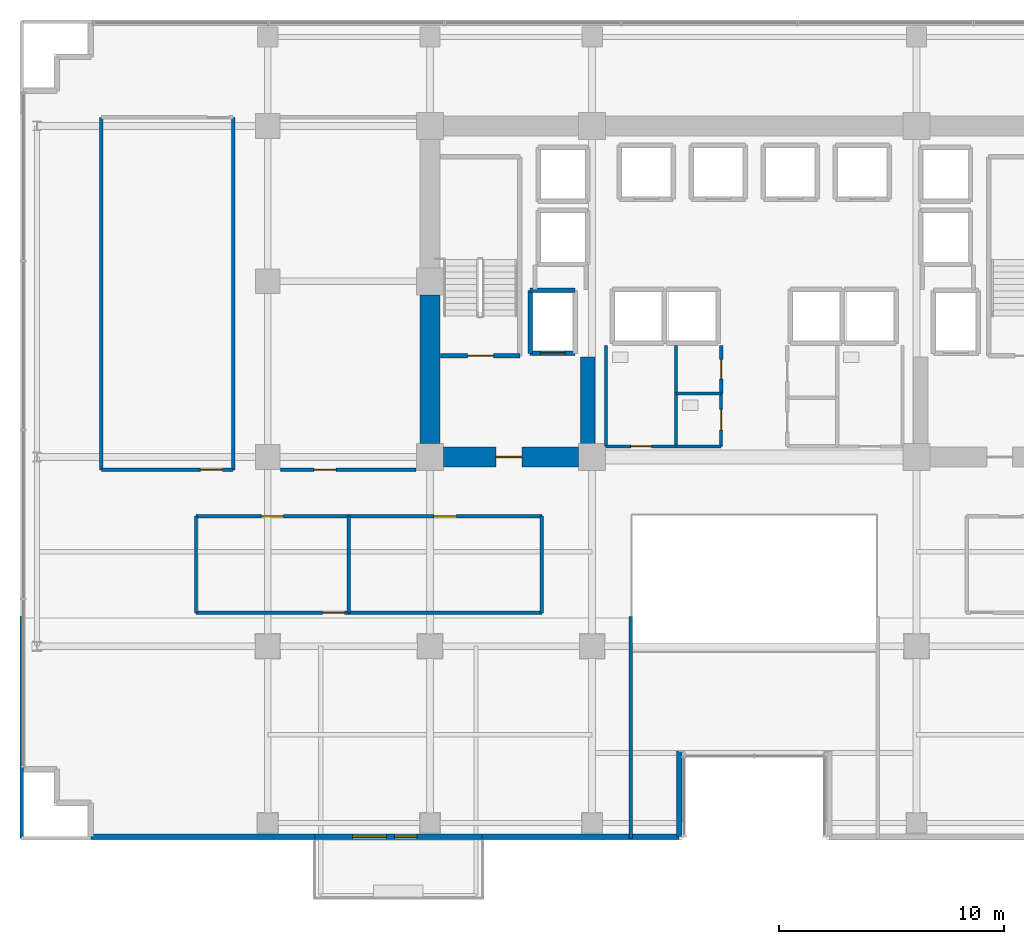
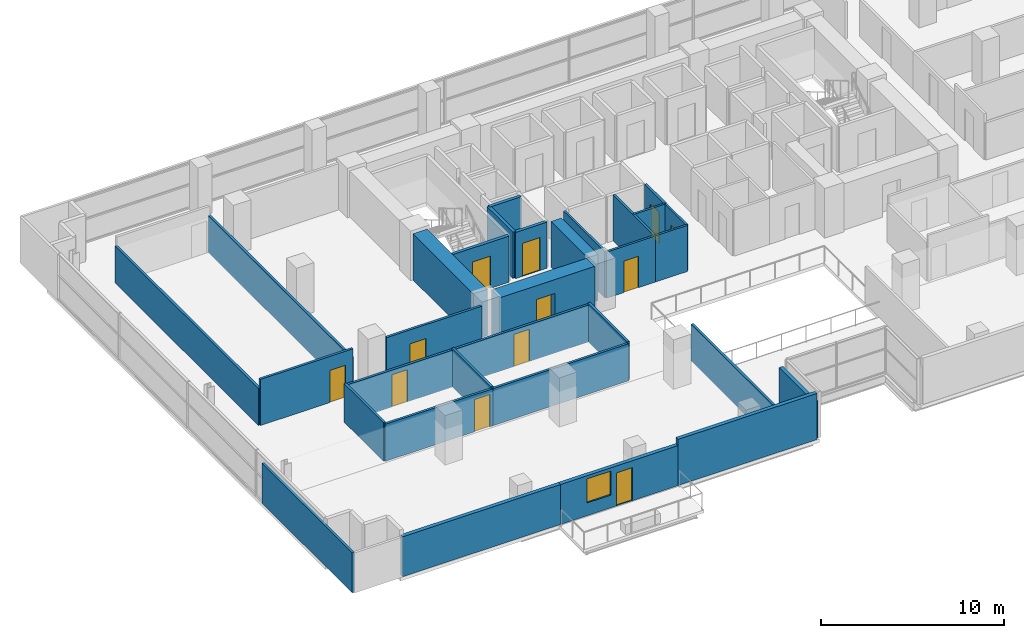
# One storey, part 22 of 30: 31 walls, 12 doors, 1 window, 13 openings.
"""IFC4 building model written with IfcOpenShell, lengths in metres."""

import ifcopenshell
import ifcopenshell.guid

model = None  # the IFC model being written
_history = None  # IfcOwnerHistory: only IFC2X3 demands one
_inside = {}  # id of a spatial element -> (the spatial element, [elements in it])
_under = {}  # id of a project, library or spatial element -> (it, [spatial elements below it])
_declared = {}  # id of a project -> (the project, [libraries it declares])
_typed = {}  # id of a type object -> (the type object, [elements of that type])
_made_of = {}  # id of a material, layer set ... -> (it, [elements and type objects made of it])


def new_model(schema):
    """Start an empty IFC model of exactly this schema.

    Asked for "IFC4X3", IfcOpenShell would pick the latest addendum, in which some entities
    have other attributes; the version numbers below select the first issue.
    IFC2X3 requires an IfcOwnerHistory on every rooted entity: one is made here for all.
    """
    global model, _history
    if schema == "IFC4X3":
        model = ifcopenshell.file(schema_version=(4, 3, 0, 0))
    else:
        model = ifcopenshell.file(schema=schema)
    _inside.clear()
    _under.clear()
    _declared.clear()
    _typed.clear()
    _made_of.clear()
    _history = None
    if model.schema == "IFC2X3":
        org = make("IfcOrganization", Name="unknown")
        user = make(
            "IfcPersonAndOrganization",
            ThePerson=make("IfcPerson", FamilyName="unknown"),
            TheOrganization=org,
        )
        app = make(
            "IfcApplication",
            ApplicationDeveloper=org,
            Version="unknown",
            ApplicationFullName="unknown",
            ApplicationIdentifier="unknown",
        )
        _history = make(
            "IfcOwnerHistory",
            OwningUser=user,
            OwningApplication=app,
            ChangeAction="ADDED",
            CreationDate=0,
        )
    return model


def make(cls, **values):
    """One entity of the class cls with the attributes given. An attribute that is None is left unset."""
    return model.create_entity(
        cls, **{name: value for name, value in values.items() if value is not None}
    )


def rooted(cls, **values):
    """An entity with a GlobalId (a new one), such as an element, a storey or a relation."""
    return make(cls, GlobalId=ifcopenshell.guid.new(), OwnerHistory=_history, **values)


def si_unit(unit_type, name, prefix=None):
    """IfcSIUnit, for example si_unit("LENGTHUNIT", "METRE", prefix="MILLI")."""
    return make("IfcSIUnit", UnitType=unit_type, Prefix=prefix, Name=name)


def assignment(units):
    """IfcUnitAssignment: the units of a project."""
    return None if units is None else make("IfcUnitAssignment", Units=units)


def point(xyz):
    """IfcCartesianPoint."""
    return None if xyz is None else make("IfcCartesianPoint", Coordinates=xyz)


def direction(xyz):
    """IfcDirection."""
    return None if xyz is None else make("IfcDirection", DirectionRatios=xyz)


def frame(location, z_axis=None, x_axis=None):
    """IfcAxis2Placement3D, a coordinate frame: its origin and axes. An axis left out is left unset."""
    return make(
        "IfcAxis2Placement3D",
        Location=point(location),
        Axis=direction(z_axis),
        RefDirection=direction(x_axis),
    )


def frame_2d(location, x_axis=None):
    """IfcAxis2Placement2D, a coordinate frame in the plane: its origin and x axis."""
    return make(
        "IfcAxis2Placement2D", Location=point(location), RefDirection=direction(x_axis)
    )


def origin():
    """The frame at (0, 0, 0) with its axes left unset."""
    return frame((0.0, 0.0, 0.0))


def place(relative_to, where):
    """IfcLocalPlacement: puts the frame where relative to a parent placement (None: the world)."""
    return make(
        "IfcLocalPlacement", PlacementRelTo=relative_to, RelativePlacement=where
    )


def context(
    kind, dimensions, precision=None, world=None, true_north=None, identifier=None
):
    """IfcGeometricRepresentationContext, for example the 3D "Model" context."""
    return make(
        "IfcGeometricRepresentationContext",
        ContextIdentifier=identifier,
        ContextType=kind,
        CoordinateSpaceDimension=dimensions,
        Precision=precision,
        WorldCoordinateSystem=world,
        TrueNorth=true_north,
    )


def subcontext(parent, identifier, kind, view, scale=None):
    """IfcGeometricRepresentationSubContext, for example "Body" below "Model"."""
    return make(
        "IfcGeometricRepresentationSubContext",
        ContextIdentifier=identifier,
        ContextType=kind,
        ParentContext=parent,
        TargetScale=scale,
        TargetView=view,
    )


def project(units=None, contexts=None):
    """IfcProject with its units and contexts."""
    return rooted(
        "IfcProject",
        Name="project",
        RepresentationContexts=contexts,
        UnitsInContext=assignment(units),
    )


def spatial(cls, under=None, at=None, **own):
    """A site, building, storey or space (cls), placed at a placement, below another one or the project."""
    s = rooted(cls, ObjectPlacement=at, **own)
    if under is not None:
        _under.setdefault(under.id(), (under, []))[1].append(s)
    return s


def profile(cls, at=None, kind="AREA", **sizes):
    """A parametric profile (cls). Its sizes go by their IFC names, for example OverallWidth=200.0."""
    return make(cls, ProfileType=kind, Position=at, **sizes)


def rectangle(**sizes):
    """IfcRectangleProfileDef."""
    return profile("IfcRectangleProfileDef", **sizes)


def extrude(swept, where, along, depth):
    """IfcExtrudedAreaSolid: the profile swept, set in the frame where, extruded along a direction by depth."""
    return make(
        "IfcExtrudedAreaSolid",
        SweptArea=swept,
        Position=where,
        ExtrudedDirection=direction(along),
        Depth=depth,
    )


def shape(context_of_items, identifier, shape_type, items):
    """IfcShapeRepresentation: the items that make up one representation, for example the "Body"."""
    return make(
        "IfcShapeRepresentation",
        ContextOfItems=context_of_items,
        RepresentationIdentifier=identifier,
        RepresentationType=shape_type,
        Items=items,
    )


def source(mapping_origin, context_of_items, identifier, shape_type, items):
    """IfcRepresentationMap: a shape defined once, which mapped items show again and again."""
    return make(
        "IfcRepresentationMap",
        MappingOrigin=mapping_origin,
        MappedRepresentation=shape(context_of_items, identifier, shape_type, items),
    )


def transform(
    local_origin,
    x_axis=None,
    y_axis=None,
    z_axis=None,
    scale=None,
    scale2=None,
    scale3=None,
    uniform=True,
):
    """IfcCartesianTransformationOperator3D, or its non-uniform kind. x_axis, y_axis, z_axis: its Axis1, 2, 3."""
    if uniform:
        return make(
            "IfcCartesianTransformationOperator3D",
            Axis1=direction(x_axis),
            Axis2=direction(y_axis),
            LocalOrigin=point(local_origin),
            Scale=scale,
            Axis3=direction(z_axis),
        )
    return make(
        "IfcCartesianTransformationOperator3DnonUniform",
        Axis1=direction(x_axis),
        Axis2=direction(y_axis),
        LocalOrigin=point(local_origin),
        Scale=scale,
        Axis3=direction(z_axis),
        Scale2=scale2,
        Scale3=scale3,
    )


def mapped(mapping_source, mapping_target):
    """IfcMappedItem: shows the shape of a source again, moved by a transform."""
    return make(
        "IfcMappedItem", MappingSource=mapping_source, MappingTarget=mapping_target
    )


def material(Name=None, Category=None):
    """IfcMaterial."""
    return make("IfcMaterial", Name=Name, Category=Category)


def layer(
    of_material, thickness, ventilated=None, Name=None, Category=None, Priority=None
):
    """IfcMaterialLayer: one layer of a wall or slab, of a material (None: an air gap)."""
    return make(
        "IfcMaterialLayer",
        Material=of_material,
        LayerThickness=thickness,
        IsVentilated=ventilated,
        Name=Name,
        Category=Category,
        Priority=Priority,
    )


def layer_set(layers, Name=None):
    """IfcMaterialLayerSet."""
    return make("IfcMaterialLayerSet", MaterialLayers=layers, LayerSetName=Name)


def made_of(thing, what):
    """Note that an element or type object is made of a material, layer set ...; save() writes the relation."""
    if what is not None:
        _made_of.setdefault(what.id(), (what, []))[1].append(thing)
    return thing


def type_object(cls, material=None, **own):
    """A type object (cls), such as IfcWallType, which elements share."""
    return made_of(rooted(cls, **own), material)


def element(
    cls,
    number,
    at=None,
    inside=None,
    cuts=None,
    type_object=None,
    material=None,
    context=None,
    identifier="Body",
    shape_type=None,
    held_by="IfcProductDefinitionShape",
    body=None,
    shapes=None,
    **own,
):
    """One element of the class cls, such as IfcWall. Its Tag is "e" and its number.

    at: its placement. inside: the storey or other place that contains it. cuts: it is an
    opening in that element (IfcRelVoidsElement). A single representation is given by context,
    identifier, shape_type and body (its items); several are given by shapes. held_by: the class
    of the entity that holds the representations. save() writes the other relations.
    """
    e = rooted(cls, Tag="e%d" % number, ObjectPlacement=at, **own)
    if body is not None:
        shapes = [shape(context, identifier, shape_type, body)]
    if shapes is not None:
        e.Representation = make(held_by, Representations=shapes)
    if inside is not None:
        _inside.setdefault(inside.id(), (inside, []))[1].append(e)
    if cuts is not None:
        rooted(
            "IfcRelVoidsElement", RelatingBuildingElement=cuts, RelatedOpeningElement=e
        )
    if type_object is not None:
        _typed.setdefault(type_object.id(), (type_object, []))[1].append(e)
    return made_of(e, material)


def fill(opening, filler):
    """IfcRelFillsElement: the door or window that sits in an opening."""
    return rooted(
        "IfcRelFillsElement",
        RelatingOpeningElement=opening,
        RelatedBuildingElement=filler,
    )


def aggregate(whole, parts):
    """IfcRelAggregates: a whole, such as a stair, and the parts it consists of."""
    return rooted("IfcRelAggregates", RelatingObject=whole, RelatedObjects=parts)


def save(model, path):
    """Write the relations noted so far, then the file.

    IfcRelAggregates (storeys below a building ...), IfcRelContainedInSpatialStructure (elements
    in a storey), IfcRelDefinesByType, IfcRelAssociatesMaterial and IfcRelDeclares: one each for
    every whole, place, type object, material and project.
    """
    for whole, parts in _under.values():
        aggregate(whole, parts)
    for where, things in _inside.values():
        rooted(
            "IfcRelContainedInSpatialStructure",
            RelatedElements=things,
            RelatingStructure=where,
        )
    for kind, things in _typed.values():
        rooted("IfcRelDefinesByType", RelatedObjects=things, RelatingType=kind)
    for what, things in _made_of.values():
        rooted("IfcRelAssociatesMaterial", RelatedObjects=things, RelatingMaterial=what)
    for by, libraries in _declared.values():
        rooted("IfcRelDeclares", RelatingContext=by, RelatedDefinitions=libraries)
    model.write(path)


model = new_model("IFC4")

# Units and contexts
model_context = context("Model", 3, precision=1e-05, world=origin(), true_north=direction((0.0, 1.0)))
body_context = subcontext(model_context, "Body", "Model", "MODEL_VIEW")
ifc_project = project(units=[si_unit("LENGTHUNIT", "METRE"), si_unit("AREAUNIT", "SQUARE_METRE"), si_unit("VOLUMEUNIT", "CUBIC_METRE"), si_unit("PLANEANGLEUNIT", "RADIAN"), si_unit("MASSUNIT", "GRAM", prefix="KILO")], contexts=[model_context])

# Site, building, storey
site_placement = place(None, origin())
site = spatial("IfcSite", under=ifc_project, at=site_placement, CompositionType="ELEMENT")
building_placement = place(site_placement, origin())
building = spatial("IfcBuilding", under=site, at=building_placement, Name="Zarnakvel Exchange Tower", CompositionType="ELEMENT")
storey_placement = place(building_placement, frame((0.0, 0.0, 43.89990234375)))
storey = spatial("IfcBuildingStorey", under=building, at=storey_placement, Name="L11", CompositionType="ELEMENT", Elevation=43.89990234375)

# Wall
ifc_material_1 = material(Name="Concrete C80/95", Category="concrete")
ifc_layer_1 = layer(ifc_material_1, 0.89990234375)
ifc_layer_set_1 = layer_set([ifc_layer_1], Name="Concrete C80/95")
wall_type_1 = type_object("IfcWallType", Name="CW-C1", PredefinedType="SHEAR", material=ifc_layer_set_1)
wall_1_placement = place(storey_placement, frame((-14.39990234375, -0.60009765625, 0.0), z_axis=(0.0, 0.0, 1.0), x_axis=(0.0, 1.0, 0.0)))
element("IfcWall", 1, at=wall_1_placement, inside=storey, type_object=wall_type_1, Name="L11 Rear Core Shear Wall W1 (CW-C1)", PredefinedType="SHEAR", context=body_context, shape_type="SweptSolid", body=[
    extrude(rectangle(XDim=6.60009765625, YDim=0.89990234375, at=frame_2d((3.300048828125, 0.0))), origin(), (0.0, 0.0, 1.0), 3.0751953125),
])

# Wall, opening, door
wall_2_placement = place(storey_placement, frame((-7.800048828125, -1.199951171875, 0.0), z_axis=(0.0, 0.0, 1.0), x_axis=(-1.0, 0.0, 0.0)))
wall_2 = element("IfcWall", 2, at=wall_2_placement, inside=storey, type_object=wall_type_1, Name="L11 Rear Core Shear Wall SW (CW-C1)", PredefinedType="SHEAR", context=body_context, shape_type="SweptSolid", body=[
    extrude(rectangle(XDim=6.0, YDim=0.89990234375, at=frame_2d((3.0, 0.0))), origin(), (0.0, 0.0, 1.0), 3.0751953125),
])
opening_1_placement = place(wall_2_placement, frame((2.52490234375, 0.0, 0.0)))
opening_1 = element("IfcOpeningElement", 3, at=opening_1_placement, cuts=wall_2, Name="Opening D-L11-03", PredefinedType="OPENING", context=body_context, shape_type="SweptSolid", body=[
    extrude(rectangle(XDim=1.14990234375, YDim=2.14990234375, at=frame_2d((0.574951171875, 1.074951171875))), frame((0.0, 0.4599609375, 0.0), z_axis=(0.0, -1.0, 0.0), x_axis=(1.0, 0.0, 0.0)), (0.0, 0.0, 1.0), 0.919921875),
])
ifc_material_2 = material(Name="Painted Galvanised Steel S355", Category="steel")
door_type_1 = type_object("IfcDoorType", Name="DT-04", OperationType="NOTDEFINED", PredefinedType="DOOR", material=ifc_material_2)
shared_shape_1 = source(origin(), body_context, "Body", "SweptSolid", [
    extrude(rectangle(XDim=1.14990234375, YDim=2.14990234375, at=frame_2d((0.574951171875, 1.074951171875))), frame((0.0, 0.02490234375, 0.0), z_axis=(0.0, -1.0, 0.0), x_axis=(1.0, 0.0, 0.0)), (0.0, 0.0, 1.0), 0.050048828125),
])
door_1_placement = place(opening_1_placement, origin())
door_1 = element("IfcDoor", 4, at=door_1_placement, inside=storey, type_object=door_type_1, Name="L11 Firefighting Lobby West Door D-L11-03", OperationType="SINGLE_SWING_LEFT", OverallHeight=2.14990234375, OverallWidth=1.14990234375, PredefinedType="DOOR", context=body_context, shape_type="MappedRepresentation", body=[
    mapped(shared_shape_1, transform((0.0, 0.0, 0.0), x_axis=(1.0, 0.0, 0.0), y_axis=(0.0, 1.0, 0.0), z_axis=(0.0, 0.0, 1.0), scale=1.0)),
])
fill(opening_1, door_1)

# Wall
ifc_layer_2 = layer(ifc_material_1, 0.64990234375)
ifc_layer_set_2 = layer_set([ifc_layer_2], Name="Concrete C80/95")
wall_type_2 = type_object("IfcWallType", Name="CW-C2", PredefinedType="SHEAR", material=ifc_layer_set_2)
wall_3_placement = place(storey_placement, frame((-7.39990234375, -0.75, 0.0), z_axis=(0.0, 0.0, 1.0), x_axis=(0.0, 1.0, 0.0)))
element("IfcWall", 5, at=wall_3_placement, inside=storey, type_object=wall_type_2, Name="L11 Rear Core Shear Wall IW (CW-C2)", PredefinedType="SHEAR", context=body_context, shape_type="SweptSolid", body=[
    extrude(rectangle(XDim=4.0, YDim=0.64990234375, at=frame_2d((2.0, 0.0))), origin(), (0.0, 0.0, 1.0), 3.0751953125),
])

# Wall, openings, door, window
ifc_material_3 = material(Name="Precast concrete C40/50", Category="concrete")
ifc_layer_3 = layer(ifc_material_3, 0.239990234375)
ifc_layer_set_3 = layer_set([ifc_layer_3], Name="Precast concrete C40/50")
wall_type_3 = type_object("IfcWallType", Name="EW-02", PredefinedType="SOLIDWALL", material=ifc_layer_set_3)
wall_4_placement = place(storey_placement, frame((-12.10009765625, -18.06005859375, 0.0), z_axis=(0.0, 0.0, 1.0), x_axis=(-1.0, 0.0, 0.0)))
wall_4 = element("IfcWall", 6, at=wall_4_placement, inside=storey, type_object=wall_type_3, Name="L11 Exterior Precast Spandrel Wall EW-BAL-L11-SW (EW-02)", PredefinedType="SOLIDWALL", context=body_context, shape_type="SweptSolid", body=[
    extrude(rectangle(XDim=7.39990234375, YDim=0.239990234375, at=frame_2d((3.699951171875, 0.0))), origin(), (0.0, 0.0, 1.0), 2.6650390625),
])
opening_2_placement = place(wall_4_placement, frame((2.885986328125, 0.0, 0.0)))
opening_2 = element("IfcOpeningElement", 7, at=opening_2_placement, cuts=wall_4, Name="Opening BD-L11-01", PredefinedType="OPENING", context=body_context, shape_type="SweptSolid", body=[
    extrude(rectangle(XDim=1.0, YDim=2.199951171875, at=frame_2d((0.5, 1.10009765625))), frame((0.0, 0.1298828125, 0.0), z_axis=(0.0, -1.0, 0.0), x_axis=(1.0, 0.0, 0.0)), (0.0, 0.0, 1.0), 0.260009765625),
])
opening_3_placement = place(wall_4_placement, frame((4.236083984375, 0.0, 0.85009765625)))
opening_3 = element("IfcOpeningElement", 8, at=opening_3_placement, cuts=wall_4, Name="Opening WN-03", PredefinedType="OPENING", context=body_context, shape_type="SweptSolid", body=[
    extrude(rectangle(XDim=1.5, YDim=1.60009765625, at=frame_2d((0.75, 0.800048828125))), frame((0.0, 0.1298828125, 0.0), z_axis=(0.0, -1.0, 0.0), x_axis=(1.0, 0.0, 0.0)), (0.0, 0.0, 1.0), 0.260009765625),
])
ifc_material_4 = material(Name="Architectural Bronze Anodised Aluminium", Category="aluminium")
door_type_2 = type_object("IfcDoorType", Name="DT-09", OperationType="NOTDEFINED", PredefinedType="DOOR", material=ifc_material_4)
shared_shape_2 = source(origin(), body_context, "Body", "SweptSolid", [
    extrude(rectangle(XDim=1.0, YDim=2.199951171875, at=frame_2d((0.5, 1.10009765625))), frame((0.0, 0.02490234375, 0.0), z_axis=(0.0, -1.0, 0.0), x_axis=(1.0, 0.0, 0.0)), (0.0, 0.0, 1.0), 0.050048828125),
])
door_2_placement = place(opening_2_placement, origin())
door_2 = element("IfcDoor", 9, at=door_2_placement, inside=storey, type_object=door_type_2, Name="L11 Planted Loggia Balcony Door BD-L11-01", OperationType="SINGLE_SWING_LEFT", OverallHeight=2.199951171875, OverallWidth=1.0, PredefinedType="DOOR", context=body_context, shape_type="MappedRepresentation", body=[
    mapped(shared_shape_2, transform((0.0, 0.0, 0.0), x_axis=(1.0, 0.0, 0.0), y_axis=(0.0, 1.0, 0.0), z_axis=(0.0, 0.0, 1.0), scale=1.0)),
])
fill(opening_2, door_2)
ifc_material_5 = material(Name="Double Low-E Laminated Vision Glass", Category="glass")
window_type = type_object("IfcWindowType", Name="WN-03", PartitioningType="SINGLE_PANEL", PredefinedType="WINDOW", material=ifc_material_5)
shared_shape_3 = source(origin(), body_context, "Body", "SweptSolid", [
    extrude(rectangle(XDim=1.5, YDim=1.60009765625, at=frame_2d((0.75, 0.800048828125))), frame((0.0, 0.030029296875, 0.0), z_axis=(0.0, -1.0, 0.0), x_axis=(1.0, 0.0, 0.0)), (0.0, 0.0, 1.0), 0.06005859375),
])
window_placement = place(opening_3_placement, origin())
window = element("IfcWindow", 10, at=window_placement, inside=storey, type_object=window_type, Name="L11 Loggia Daylight Window (WN-03)", OverallHeight=1.60009765625, OverallWidth=1.5, PartitioningType="SINGLE_PANEL", PredefinedType="WINDOW", context=body_context, shape_type="MappedRepresentation", body=[
    mapped(shared_shape_3, transform((0.0, 0.0, 0.0), x_axis=(1.0, 0.0, 0.0), y_axis=(0.0, 1.0, 0.0), z_axis=(0.0, 0.0, 1.0), scale=1.0)),
])
fill(opening_3, window)

# Walls
wall_5_placement = place(storey_placement, frame((-3.340087890625, -18.06005859375, 0.0), z_axis=(0.0, 0.0, 1.0), x_axis=(0.0, 1.0, 0.0)))
element("IfcWall", 11, at=wall_5_placement, inside=storey, type_object=wall_type_3, Name="L11 Exterior Precast Spandrel Wall EWC-L11-20 (EW-02)", PredefinedType="SOLIDWALL", context=body_context, shape_type="SweptSolid", body=[
    extrude(rectangle(XDim=3.800048828125, YDim=0.239990234375, at=frame_2d((1.89990234375, 0.0))), origin(), (0.0, 0.0, 1.0), 2.465087890625),
])
wall_6_placement = place(storey_placement, frame((-12.10009765625, -18.06005859375, 0.0), z_axis=(0.0, 0.0, 1.0), x_axis=(1.0, 0.0, 0.0)))
element("IfcWall", 12, at=wall_6_placement, inside=storey, type_object=wall_type_3, Name="L11 Exterior Precast Spandrel Wall EWC-L11-21 (EW-02)", PredefinedType="SOLIDWALL", context=body_context, shape_type="SweptSolid", body=[
    extrude(rectangle(XDim=8.760009765625, YDim=0.239990234375, at=frame_2d((4.3798828125, 0.0))), origin(), (0.0, 0.0, 1.0), 3.0751953125),
])
wall_7_placement = place(storey_placement, frame((-29.4599609375, -18.06005859375, 0.0), z_axis=(0.0, 0.0, 1.0), x_axis=(1.0, 0.0, 0.0)))
element("IfcWall", 13, at=wall_7_placement, inside=storey, type_object=wall_type_3, Name="L11 Exterior Precast Spandrel Wall EWC-L11-22 (EW-02)", PredefinedType="SOLIDWALL", context=body_context, shape_type="SweptSolid", body=[
    extrude(rectangle(XDim=9.9599609375, YDim=0.239990234375, at=frame_2d((4.97998046875, 0.0))), origin(), (0.0, 0.0, 1.0), 2.6650390625),
])

# Wall, opening, door
ifc_material_6 = material(Name="Fire-Rated Gypsum Stud Partition", Category="gypsum")
ifc_layer_4 = layer(ifc_material_6, 0.14990234375)
ifc_layer_set_4 = layer_set([ifc_layer_4], Name="Fire-Rated Gypsum Stud Partition")
wall_type_4 = type_object("IfcWallType", Name="PT-01", PredefinedType="PARTITIONING", material=ifc_layer_set_4)
wall_8_placement = place(storey_placement, frame((-1.469970703125, 3.760009765625, 0.0), z_axis=(0.0, 0.0, 1.0), x_axis=(0.0, -1.0, 0.0)))
wall_8 = element("IfcWall", 14, at=wall_8_placement, inside=storey, type_object=wall_type_4, Name="L11 Partition Wall PWALL-L11-017 (PT-01)", PredefinedType="PARTITIONING", context=body_context, shape_type="SweptSolid", body=[
    extrude(rectangle(XDim=2.130126953125, YDim=0.14990234375, at=frame_2d((1.06494140625, 0.0))), origin(), (0.0, 0.0, 1.0), 3.0751953125),
])
opening_4_placement = place(wall_8_placement, frame((0.6201171875, 0.0, 0.0)))
opening_4 = element("IfcOpeningElement", 15, at=opening_4_placement, cuts=wall_8, Name="Opening D-L11-07", PredefinedType="OPENING", context=body_context, shape_type="SweptSolid", body=[
    extrude(rectangle(XDim=0.8798828125, YDim=2.10009765625, at=frame_2d((0.43994140625, 1.050048828125))), frame((0.0, 0.0849609375, 0.0), z_axis=(0.0, -1.0, 0.0), x_axis=(1.0, 0.0, 0.0)), (0.0, 0.0, 1.0), 0.169921875),
])
door_type_3 = type_object("IfcDoorType", Name="DT-08", OperationType="NOTDEFINED", PredefinedType="DOOR", material=ifc_material_2)
shared_shape_4 = source(origin(), body_context, "Body", "SweptSolid", [
    extrude(rectangle(XDim=0.8798828125, YDim=2.10009765625, at=frame_2d((0.43994140625, 1.050048828125))), frame((0.0, 0.02490234375, 0.0), z_axis=(0.0, -1.0, 0.0), x_axis=(1.0, 0.0, 0.0)), (0.0, 0.0, 1.0), 0.050048828125),
])
door_3_placement = place(opening_4_placement, origin())
door_3 = element("IfcDoor", 16, at=door_3_placement, inside=storey, type_object=door_type_3, Name="L11 Core Comms Room Door D-L11-07", OperationType="SINGLE_SWING_LEFT", OverallHeight=2.10009765625, OverallWidth=0.8798828125, PredefinedType="DOOR", context=body_context, shape_type="MappedRepresentation", body=[
    mapped(shared_shape_4, transform((0.0, 0.0, 0.0), x_axis=(1.0, 0.0, 0.0), y_axis=(0.0, 1.0, 0.0), z_axis=(0.0, 0.0, 1.0), scale=1.0)),
])
fill(opening_4, door_3)

wall_9_placement = place(storey_placement, frame((-18.012451171875, -8.1201171875, 0.0), z_axis=(0.0, 0.0, 1.0), x_axis=(-1.0, 0.0, 0.0)))
wall_9 = element("IfcWall", 17, at=wall_9_placement, inside=storey, type_object=wall_type_4, Name="L11 Partition Wall PWALL-L11-026 (PT-01)", PredefinedType="PARTITIONING", context=body_context, shape_type="SweptSolid", body=[
    extrude(rectangle(XDim=6.77783203125, YDim=0.14990234375, at=frame_2d((3.388916015625, 0.0))), origin(), (0.0, 0.0, 1.0), 2.465087890625),
])
opening_5_placement = place(wall_9_placement, frame((0.179931640625, 0.0, 0.0)))
opening_5 = element("IfcOpeningElement", 18, at=opening_5_placement, cuts=wall_9, Name="Opening D-L11-13", PredefinedType="OPENING", context=body_context, shape_type="SweptSolid", body=[
    extrude(rectangle(XDim=0.97998046875, YDim=2.14990234375, at=frame_2d((0.489990234375, 1.074951171875))), frame((0.0, 0.0849609375, 0.0), z_axis=(0.0, -1.0, 0.0), x_axis=(1.0, 0.0, 0.0)), (0.0, 0.0, 1.0), 0.169921875),
])
ifc_material_7 = material(Name="Timber Acoustic Veneer", Category="wood")
door_type_4 = type_object("IfcDoorType", Name="DT-05", OperationType="NOTDEFINED", PredefinedType="DOOR", material=ifc_material_7)
shared_shape_5 = source(origin(), body_context, "Body", "SweptSolid", [
    extrude(rectangle(XDim=0.97998046875, YDim=2.14990234375, at=frame_2d((0.489990234375, 1.074951171875))), frame((0.0, 0.02490234375, 0.0), z_axis=(0.0, -1.0, 0.0), x_axis=(1.0, 0.0, 0.0)), (0.0, 0.0, 1.0), 0.050048828125),
])
door_4_placement = place(opening_5_placement, origin())
door_4 = element("IfcDoor", 19, at=door_4_placement, inside=storey, type_object=door_type_4, Name="L11 Derivatives Trading Hall Door D-L11-13", OperationType="SINGLE_SWING_LEFT", OverallHeight=2.14990234375, OverallWidth=0.97998046875, PredefinedType="DOOR", context=body_context, shape_type="MappedRepresentation", body=[
    mapped(shared_shape_5, transform((0.0, 0.0, 0.0), x_axis=(1.0, 0.0, 0.0), y_axis=(0.0, 1.0, 0.0), z_axis=(0.0, 0.0, 1.0), scale=1.0)),
])
fill(opening_5, door_4)

wall_10_placement = place(storey_placement, frame((-24.790283203125, -3.830078125, 0.0), z_axis=(0.0, 0.0, 1.0), x_axis=(1.0, 0.0, 0.0)))
wall_10 = element("IfcWall", 20, at=wall_10_placement, inside=storey, type_object=wall_type_4, Name="L11 Partition Wall PWALL-L11-027 (PT-01)", PredefinedType="PARTITIONING", context=body_context, shape_type="SweptSolid", body=[
    extrude(rectangle(XDim=6.77783203125, YDim=0.14990234375, at=frame_2d((3.388916015625, 0.0))), origin(), (0.0, 0.0, 1.0), 2.465087890625),
])
opening_6_placement = place(wall_10_placement, frame((2.899169921875, 0.0, 0.0)))
opening_6 = element("IfcOpeningElement", 21, at=opening_6_placement, cuts=wall_10, Name="Opening D-L11-11", PredefinedType="OPENING", context=body_context, shape_type="SweptSolid", body=[
    extrude(rectangle(XDim=0.97998046875, YDim=2.14990234375, at=frame_2d((0.489990234375, 1.074951171875))), frame((0.0, 0.0849609375, 0.0), z_axis=(0.0, -1.0, 0.0), x_axis=(1.0, 0.0, 0.0)), (0.0, 0.0, 1.0), 0.169921875),
])
door_5_placement = place(opening_6_placement, origin())
door_5 = element("IfcDoor", 22, at=door_5_placement, inside=storey, type_object=door_type_4, Name="L11 Conference Room Door D-L11-11", OperationType="SINGLE_SWING_LEFT", OverallHeight=2.14990234375, OverallWidth=0.97998046875, PredefinedType="DOOR", context=body_context, shape_type="MappedRepresentation", body=[
    mapped(shared_shape_5, transform((0.0, 0.0, 0.0), x_axis=(1.0, 0.0, 0.0), y_axis=(0.0, 1.0, 0.0), z_axis=(0.0, 0.0, 1.0), scale=1.0)),
])
fill(opening_6, door_5)

# Walls
for number, where, z_axis, x_axis, name in (
    (23, (-24.790283203125, -8.1201171875, 0.0), (0.0, 0.0, 1.0), (0.0, 1.0, 0.0), "L11 Partition Wall PWALL-L11-028 (PT-01)"),
    (24, (-18.012451171875, -3.830078125, 0.0), (0.0, 0.0, 1.0), (0.0, -1.0, 0.0), "L11 Partition Wall PWALL-L11-029 (PT-01)"),
):
    element("IfcWall", number, at=place(storey_placement, frame(where, z_axis=z_axis, x_axis=x_axis)), inside=storey, type_object=wall_type_4, Name=name, PredefinedType="PARTITIONING", context=body_context, shape_type="SweptSolid", body=[
        extrude(rectangle(XDim=4.2900390625, YDim=0.14990234375, at=frame_2d((2.14501953125, 0.0))), origin(), (0.0, 0.0, 1.0), 2.565185546875),
    ])
wall_11_placement = place(storey_placement, frame((-9.429931640625, -8.1201171875, 0.0), z_axis=(0.0, 0.0, 1.0), x_axis=(-1.0, 0.0, 0.0)))
element("IfcWall", 25, at=wall_11_placement, inside=storey, type_object=wall_type_4, Name="L11 Partition Wall PWALL-L11-030 (PT-01)", PredefinedType="PARTITIONING", context=body_context, shape_type="SweptSolid", body=[
    extrude(rectangle(XDim=8.58251953125, YDim=0.14990234375, at=frame_2d((4.291259765625, 0.0))), origin(), (0.0, 0.0, 1.0), 2.465087890625),
])

# Wall, opening, door
wall_12_placement = place(storey_placement, frame((-18.012451171875, -3.830078125, 0.0), z_axis=(0.0, 0.0, 1.0), x_axis=(1.0, 0.0, 0.0)))
wall_12 = element("IfcWall", 26, at=wall_12_placement, inside=storey, type_object=wall_type_4, Name="L11 Partition Wall PWALL-L11-031 (PT-01)", PredefinedType="PARTITIONING", context=body_context, shape_type="SweptSolid", body=[
    extrude(rectangle(XDim=8.58251953125, YDim=0.14990234375, at=frame_2d((4.291259765625, 0.0))), origin(), (0.0, 0.0, 1.0), 2.465087890625),
])
opening_7_placement = place(wall_12_placement, frame((3.801513671875, 0.0, 0.0)))
opening_7 = element("IfcOpeningElement", 27, at=opening_7_placement, cuts=wall_12, Name="Opening D-L11-12", PredefinedType="OPENING", context=body_context, shape_type="SweptSolid", body=[
    extrude(rectangle(XDim=0.97998046875, YDim=2.14990234375, at=frame_2d((0.489990234375, 1.074951171875))), frame((0.0, 0.0849609375, 0.0), z_axis=(0.0, -1.0, 0.0), x_axis=(1.0, 0.0, 0.0)), (0.0, 0.0, 1.0), 0.169921875),
])
door_6_placement = place(opening_7_placement, origin())
door_6 = element("IfcDoor", 28, at=door_6_placement, inside=storey, type_object=door_type_4, Name="L11 Executive Suite Door D-L11-12", OperationType="SINGLE_SWING_RIGHT", OverallHeight=2.14990234375, OverallWidth=0.97998046875, PredefinedType="DOOR", context=body_context, shape_type="MappedRepresentation", body=[
    mapped(shared_shape_5, transform((0.0, 0.0, 0.0), x_axis=(1.0, 0.0, 0.0), y_axis=(0.0, 1.0, 0.0), z_axis=(0.0, 0.0, 1.0), scale=1.0)),
])
fill(opening_7, door_6)

# Walls
wall_13_placement = place(storey_placement, frame((-9.429931640625, -3.830078125, 0.0), z_axis=(0.0, 0.0, 1.0), x_axis=(0.0, -1.0, 0.0)))
element("IfcWall", 29, at=wall_13_placement, inside=storey, type_object=wall_type_4, Name="L11 Partition Wall PWALL-L11-032 (PT-01)", PredefinedType="PARTITIONING", context=body_context, shape_type="SweptSolid", body=[
    extrude(rectangle(XDim=4.2900390625, YDim=0.14990234375, at=frame_2d((2.14501953125, 0.0))), origin(), (0.0, 0.0, 1.0), 2.565185546875),
])
wall_14_placement = place(storey_placement, frame((-32.530029296875, -18.1298828125, 0.0), z_axis=(0.0, 0.0, 1.0), x_axis=(0.0, 1.0, 0.0)))
element("IfcWall", 30, at=wall_14_placement, inside=storey, type_object=wall_type_4, Name="L11 Partition Wall PWALL-L11-034 (PT-01)", PredefinedType="PARTITIONING", context=body_context, shape_type="SweptSolid", body=[
    extrude(rectangle(XDim=9.849853515625, YDim=0.14990234375, at=frame_2d((4.9248046875, 0.0))), origin(), (0.0, 0.0, 1.0), 2.6650390625),
])
wall_15_placement = place(storey_placement, frame((-5.47998046875, -8.280029296875, 0.0), z_axis=(0.0, 0.0, 1.0), x_axis=(0.0, -1.0, 0.0)))
element("IfcWall", 31, at=wall_15_placement, inside=storey, type_object=wall_type_4, Name="L11 Partition Wall PWALL-L11-035 (PT-01)", PredefinedType="PARTITIONING", context=body_context, shape_type="SweptSolid", body=[
    extrude(rectangle(XDim=9.849853515625, YDim=0.14990234375, at=frame_2d((4.9248046875, 0.0))), origin(), (0.0, 0.0, 1.0), 2.465087890625),
])

# Wall, opening, door
wall_16_placement = place(storey_placement, frame((-23.142822265625, -1.77001953125, 0.0), z_axis=(0.0, 0.0, 1.0), x_axis=(-1.0, 0.0, 0.0)))
wall_16 = element("IfcWall", 32, at=wall_16_placement, inside=storey, type_object=wall_type_4, Name="L11 Partition Wall PWALL-L11-049 (PT-01)", PredefinedType="PARTITIONING", context=body_context, shape_type="SweptSolid", body=[
    extrude(rectangle(XDim=5.853271484375, YDim=0.14990234375, at=frame_2d((2.9267578125, 0.0))), origin(), (0.0, 0.0, 1.0), 3.0751953125),
])
opening_8_placement = place(wall_16_placement, frame((0.47802734375, 0.0, 0.0)))
opening_8 = element("IfcOpeningElement", 33, at=opening_8_placement, cuts=wall_16, Name="Opening D-L11-18", PredefinedType="OPENING", context=body_context, shape_type="SweptSolid", body=[
    extrude(rectangle(XDim=0.97998046875, YDim=2.14990234375, at=frame_2d((0.489990234375, 1.074951171875))), frame((0.0, 0.0849609375, 0.0), z_axis=(0.0, -1.0, 0.0), x_axis=(1.0, 0.0, 0.0)), (0.0, 0.0, 1.0), 0.169921875),
])
door_7_placement = place(opening_8_placement, origin())
door_7 = element("IfcDoor", 34, at=door_7_placement, inside=storey, type_object=door_type_4, Name="L11 Staff Pantry Door D-L11-18", OperationType="SINGLE_SWING_RIGHT", OverallHeight=2.14990234375, OverallWidth=0.97998046875, PredefinedType="DOOR", context=body_context, shape_type="MappedRepresentation", body=[
    mapped(shared_shape_5, transform((0.0, 0.0, 0.0), x_axis=(1.0, 0.0, 0.0), y_axis=(0.0, 1.0, 0.0), z_axis=(0.0, 0.0, 1.0), scale=1.0)),
])
fill(opening_8, door_7)

# Walls
for number, where, z_axis, x_axis, name in (
    (35, (-28.99609375, -1.77001953125, 0.0), (0.0, 0.0, 1.0), (0.0, 1.0, 0.0), "L11 Partition Wall PWALL-L11-051 (PT-01)"),
    (36, (-23.142822265625, 13.8798828125, 0.0), (0.0, 0.0, 1.0), (0.0, -1.0, 0.0), "L11 Partition Wall PWALL-L11-052 (PT-01)"),
):
    element("IfcWall", number, at=place(storey_placement, frame(where, z_axis=z_axis, x_axis=x_axis)), inside=storey, type_object=wall_type_4, Name=name, PredefinedType="PARTITIONING", context=body_context, shape_type="SweptSolid", body=[
        extrude(rectangle(XDim=15.64990234375, YDim=0.14990234375, at=frame_2d((7.824951171875, 0.0))), origin(), (0.0, 0.0, 1.0), 2.465087890625),
    ])

# Wall, opening, door
wall_17_placement = place(storey_placement, frame((-15.02001953125, -1.77001953125, 0.0), z_axis=(0.0, 0.0, 1.0), x_axis=(-1.0, 0.0, 0.0)))
wall_17 = element("IfcWall", 37, at=wall_17_placement, inside=storey, type_object=wall_type_4, Name="L11 Partition Wall PWALL-L11-053 (PT-01)", PredefinedType="PARTITIONING", context=body_context, shape_type="SweptSolid", body=[
    extrude(rectangle(XDim=6.010009765625, YDim=0.14990234375, at=frame_2d((3.0048828125, 0.0))), origin(), (0.0, 0.0, 1.0), 3.0751953125),
])
opening_9_placement = place(wall_17_placement, frame((3.5458984375, 0.0, 0.0)))
opening_9 = element("IfcOpeningElement", 38, at=opening_9_placement, cuts=wall_17, Name="Opening D-L11-19", PredefinedType="OPENING", context=body_context, shape_type="SweptSolid", body=[
    extrude(rectangle(XDim=0.97998046875, YDim=2.14990234375, at=frame_2d((0.489990234375, 1.074951171875))), frame((0.0, 0.0849609375, 0.0), z_axis=(0.0, -1.0, 0.0), x_axis=(1.0, 0.0, 0.0)), (0.0, 0.0, 1.0), 0.169921875),
])
door_8_placement = place(opening_9_placement, origin())
door_8 = element("IfcDoor", 39, at=door_8_placement, inside=storey, type_object=door_type_4, Name="L11 Compliance Office Door D-L11-19", OperationType="SINGLE_SWING_LEFT", OverallHeight=2.14990234375, OverallWidth=0.97998046875, PredefinedType="DOOR", context=body_context, shape_type="MappedRepresentation", body=[
    mapped(shared_shape_5, transform((0.0, 0.0, 0.0), x_axis=(1.0, 0.0, 0.0), y_axis=(0.0, 1.0, 0.0), z_axis=(0.0, 0.0, 1.0), scale=1.0)),
])
fill(opening_9, door_8)

ifc_material_8 = material(Name="Moisture-Resistant Tile-Faced Partition", Category="gypsum")
ifc_layer_5 = layer(ifc_material_8, 0.135009765625)
ifc_layer_set_5 = layer_set([ifc_layer_5], Name="Moisture-Resistant Tile-Faced Partition")
wall_type_5 = type_object("IfcWallType", Name="PT-03", PredefinedType="PARTITIONING", material=ifc_layer_set_5)
wall_18_placement = place(storey_placement, frame((-3.469970703125, -0.72998046875, 0.0), z_axis=(0.0, 0.0, 1.0), x_axis=(-1.0, 0.0, 0.0)))
wall_18 = element("IfcWall", 40, at=wall_18_placement, inside=storey, type_object=wall_type_5, Name="L11 Partition Wall PWALL-L11-011 (PT-03)", PredefinedType="PARTITIONING", context=body_context, shape_type="SweptSolid", body=[
    extrude(rectangle(XDim=3.110107421875, YDim=0.135009765625, at=frame_2d((1.55517578125, 0.0))), origin(), (0.0, 0.0, 1.0), 3.0751953125),
])
opening_10_placement = place(wall_18_placement, frame((1.090087890625, 0.0, 0.0)))
opening_10 = element("IfcOpeningElement", 41, at=opening_10_placement, cuts=wall_18, Name="Opening D-L11-05", PredefinedType="OPENING", context=body_context, shape_type="SweptSolid", body=[
    extrude(rectangle(XDim=0.919921875, YDim=2.10009765625, at=frame_2d((0.4599609375, 1.050048828125))), frame((0.0, 0.077392578125, 0.0), z_axis=(0.0, -1.0, 0.0), x_axis=(1.0, 0.0, 0.0)), (0.0, 0.0, 1.0), 0.155029296875),
])
ifc_material_9 = material(Name="Moisture-Resistant Laminate Timber", Category="wood")
door_type_5 = type_object("IfcDoorType", Name="DT-07", OperationType="NOTDEFINED", PredefinedType="DOOR", material=ifc_material_9)
shared_shape_6 = source(origin(), body_context, "Body", "SweptSolid", [
    extrude(rectangle(XDim=0.919921875, YDim=2.10009765625, at=frame_2d((0.4599609375, 1.050048828125))), frame((0.0, 0.02490234375, 0.0), z_axis=(0.0, -1.0, 0.0), x_axis=(1.0, 0.0, 0.0)), (0.0, 0.0, 1.0), 0.050048828125),
])
door_9_placement = place(opening_10_placement, origin())
door_9 = element("IfcDoor", 42, at=door_9_placement, inside=storey, type_object=door_type_5, Name="L11 Male Toilet Door D-L11-05", OperationType="SINGLE_SWING_LEFT", OverallHeight=2.10009765625, OverallWidth=0.919921875, PredefinedType="DOOR", context=body_context, shape_type="MappedRepresentation", body=[
    mapped(shared_shape_6, transform((0.0, 0.0, 0.0), x_axis=(1.0, 0.0, 0.0), y_axis=(0.0, 1.0, 0.0), z_axis=(0.0, 0.0, 1.0), scale=1.0)),
])
fill(opening_10, door_9)

# Walls
for number, where, z_axis, x_axis, name in (
    (43, (-6.580078125, -0.72998046875, 0.0), (0.0, 0.0, 1.0), (0.0, 1.0, 0.0), "L11 Partition Wall PWALL-L11-012 (PT-03)"),
    (44, (-3.469970703125, 3.760009765625, 0.0), (0.0, 0.0, 1.0), (0.0, -1.0, 0.0), "L11 Partition Wall PWALL-L11-013 (PT-03)"),
):
    element("IfcWall", number, at=place(storey_placement, frame(where, z_axis=z_axis, x_axis=x_axis)), inside=storey, type_object=wall_type_5, Name=name, PredefinedType="PARTITIONING", context=body_context, shape_type="SweptSolid", body=[
        extrude(rectangle(XDim=4.489990234375, YDim=0.135009765625, at=frame_2d((2.2451171875, 0.0))), origin(), (0.0, 0.0, 1.0), 3.0751953125),
    ])
for number, where, z_axis, x_axis, name in (
    (45, (-1.469970703125, -0.72998046875, 0.0), (0.0, 0.0, 1.0), (-1.0, 0.0, 0.0), "L11 Partition Wall PWALL-L11-014 (PT-03)"),
    (46, (-3.469970703125, 1.6298828125, 0.0), (0.0, 0.0, 1.0), (1.0, 0.0, 0.0), "L11 Partition Wall PWALL-L11-015 (PT-03)"),
):
    element("IfcWall", number, at=place(storey_placement, frame(where, z_axis=z_axis, x_axis=x_axis)), inside=storey, type_object=wall_type_5, Name=name, PredefinedType="PARTITIONING", context=body_context, shape_type="SweptSolid", body=[
        extrude(rectangle(XDim=2.0, YDim=0.135009765625, at=frame_2d((1.0, 0.0))), origin(), (0.0, 0.0, 1.0), 3.0751953125),
    ])

# Wall, opening, door
wall_19_placement = place(storey_placement, frame((-1.469970703125, 1.6298828125, 0.0), z_axis=(0.0, 0.0, 1.0), x_axis=(0.0, -1.0, 0.0)))
wall_19 = element("IfcWall", 47, at=wall_19_placement, inside=storey, type_object=wall_type_5, Name="L11 Partition Wall PWALL-L11-016 (PT-03)", PredefinedType="PARTITIONING", context=body_context, shape_type="SweptSolid", body=[
    extrude(rectangle(XDim=2.35986328125, YDim=0.135009765625, at=frame_2d((1.179931640625, 0.0))), origin(), (0.0, 0.0, 1.0), 3.0751953125),
])
opening_11_placement = place(wall_19_placement, frame((0.719970703125, 0.0, 0.0)))
opening_11 = element("IfcOpeningElement", 48, at=opening_11_placement, cuts=wall_19, Name="Opening D-L11-06", PredefinedType="OPENING", context=body_context, shape_type="SweptSolid", body=[
    extrude(rectangle(XDim=0.919921875, YDim=2.10009765625, at=frame_2d((0.4599609375, 1.050048828125))), frame((0.0, 0.077392578125, 0.0), z_axis=(0.0, -1.0, 0.0), x_axis=(1.0, 0.0, 0.0)), (0.0, 0.0, 1.0), 0.155029296875),
])
door_10_placement = place(opening_11_placement, origin())
door_10 = element("IfcDoor", 49, at=door_10_placement, inside=storey, type_object=door_type_5, Name="L11 Accessible Toilet Door D-L11-06", OperationType="SINGLE_SWING_RIGHT", OverallHeight=2.10009765625, OverallWidth=0.919921875, PredefinedType="DOOR", context=body_context, shape_type="MappedRepresentation", body=[
    mapped(shared_shape_6, transform((0.0, 0.0, 0.0), x_axis=(1.0, 0.0, 0.0), y_axis=(0.0, 1.0, 0.0), z_axis=(0.0, 0.0, 1.0), scale=1.0)),
])
fill(opening_11, door_10)

ifc_material_10 = material(Name="Concrete C40/50", Category="concrete")
ifc_layer_6 = layer(ifc_material_10, 0.199951171875)
ifc_layer_set_6 = layer_set([ifc_layer_6], Name="Concrete C40/50")
wall_type_6 = type_object("IfcWallType", Name="SW-01", PredefinedType="SOLIDWALL", material=ifc_layer_set_6)
wall_20_placement = place(storey_placement, frame((-7.949951171875, 3.39990234375, 0.0), z_axis=(0.0, 0.0, 1.0), x_axis=(-1.0, 0.0, 0.0)))
wall_20 = element("IfcWall", 50, at=wall_20_placement, inside=storey, type_object=wall_type_6, Name="L11 FL-01 Hoistway Wall South", PredefinedType="SOLIDWALL", context=body_context, shape_type="SweptSolid", body=[
    extrude(rectangle(XDim=2.0, YDim=0.199951171875, at=frame_2d((1.0, 0.0))), origin(), (0.0, 0.0, 1.0), 3.0751953125),
])
opening_12_placement = place(wall_20_placement, frame((0.449951171875, 0.0, 0.0)))
opening_12 = element("IfcOpeningElement", 51, at=opening_12_placement, cuts=wall_20, Name="Opening LD-FL-01-L11", PredefinedType="OPENING", context=body_context, shape_type="SweptSolid", body=[
    extrude(rectangle(XDim=1.10009765625, YDim=2.199951171875, at=frame_2d((0.550048828125, 1.10009765625))), frame((0.0, 0.10986328125, 0.0), z_axis=(0.0, -1.0, 0.0), x_axis=(1.0, 0.0, 0.0)), (0.0, 0.0, 1.0), 0.219970703125),
])
ifc_material_11 = material(Name="Brushed Stainless Steel", Category="steel")
door_type_6 = type_object("IfcDoorType", Name="LDT-01", OperationType="NOTDEFINED", PredefinedType="DOOR", material=ifc_material_11)
shared_shape_7 = source(origin(), body_context, "Body", "SweptSolid", [
    extrude(rectangle(XDim=1.10009765625, YDim=2.199951171875, at=frame_2d((0.550048828125, 1.10009765625))), frame((0.0, 0.02490234375, 0.0), z_axis=(0.0, -1.0, 0.0), x_axis=(1.0, 0.0, 0.0)), (0.0, 0.0, 1.0), 0.050048828125),
])
door_11_placement = place(opening_12_placement, origin())
door_11 = element("IfcDoor", 52, at=door_11_placement, inside=storey, type_object=door_type_6, Name="L11 FL-01 Lift Landing Door LD-FL-01-L11", OperationType="DOUBLE_DOOR_SLIDING", OverallHeight=2.199951171875, OverallWidth=1.10009765625, PredefinedType="DOOR", context=body_context, shape_type="MappedRepresentation", body=[
    mapped(shared_shape_7, transform((0.0, 0.0, 0.0), x_axis=(1.0, 0.0, 0.0), y_axis=(0.0, 1.0, 0.0), z_axis=(0.0, 0.0, 1.0), scale=1.0)),
])
fill(opening_12, door_11)

# Walls
wall_21_placement = place(storey_placement, frame((-9.949951171875, 6.199951171875, 0.0), z_axis=(0.0, 0.0, 1.0), x_axis=(1.0, 0.0, 0.0)))
element("IfcWall", 53, at=wall_21_placement, inside=storey, type_object=wall_type_6, Name="L11 FL-01 Hoistway Wall North", PredefinedType="SOLIDWALL", context=body_context, shape_type="SweptSolid", body=[
    extrude(rectangle(XDim=2.0, YDim=0.199951171875, at=frame_2d((1.0, 0.0))), origin(), (0.0, 0.0, 1.0), 3.0751953125),
])
wall_22_placement = place(storey_placement, frame((-9.949951171875, 3.39990234375, 0.0), z_axis=(0.0, 0.0, 1.0), x_axis=(0.0, 1.0, 0.0)))
element("IfcWall", 54, at=wall_22_placement, inside=storey, type_object=wall_type_6, Name="L11 FL-01 Hoistway Wall West", PredefinedType="SOLIDWALL", context=body_context, shape_type="SweptSolid", body=[
    extrude(rectangle(XDim=2.800048828125, YDim=0.199951171875, at=frame_2d((1.39990234375, 0.0))), origin(), (0.0, 0.0, 1.0), 3.0751953125),
])

# Wall, opening, door
ifc_layer_7 = layer(ifc_material_10, 0.199951171875)
ifc_layer_set_7 = layer_set([ifc_layer_7], Name="Concrete C40/50")
wall_type_7 = type_object("IfcWallType", Name="SW-02", PredefinedType="SOLIDWALL", material=ifc_layer_set_7)
wall_23_placement = place(storey_placement, frame((-10.409912109375, 3.2900390625, 0.0), z_axis=(0.0, 0.0, 1.0), x_axis=(-1.0, 0.0, 0.0)))
wall_23 = element("IfcWall", 55, at=wall_23_placement, inside=storey, type_object=wall_type_7, Name="L11 Stairwell Core Wall PWALL-L11-001 (SW-02)", PredefinedType="SOLIDWALL", context=body_context, shape_type="SweptSolid", body=[
    extrude(rectangle(XDim=3.52001953125, YDim=0.199951171875, at=frame_2d((1.760009765625, 0.0))), origin(), (0.0, 0.0, 1.0), 3.0751953125),
])
opening_13_placement = place(wall_23_placement, frame((1.1650390625, 0.0, 0.0)))
opening_13 = element("IfcOpeningElement", 56, at=opening_13_placement, cuts=wall_23, Name="Opening D-L11-01", PredefinedType="OPENING", context=body_context, shape_type="SweptSolid", body=[
    extrude(rectangle(XDim=1.14990234375, YDim=2.14990234375, at=frame_2d((0.574951171875, 1.074951171875))), frame((0.0, 0.10986328125, 0.0), z_axis=(0.0, -1.0, 0.0), x_axis=(1.0, 0.0, 0.0)), (0.0, 0.0, 1.0), 0.219970703125),
])
door_12_placement = place(opening_13_placement, origin())
door_12 = element("IfcDoor", 57, at=door_12_placement, inside=storey, type_object=door_type_1, Name="L11 Stairwell ST-01 Door D-L11-01", OperationType="SINGLE_SWING_LEFT", OverallHeight=2.14990234375, OverallWidth=1.14990234375, PredefinedType="DOOR", context=body_context, shape_type="MappedRepresentation", body=[
    mapped(shared_shape_1, transform((0.0, 0.0, 0.0), x_axis=(1.0, 0.0, 0.0), y_axis=(0.0, 1.0, 0.0), z_axis=(0.0, 0.0, 1.0), scale=1.0)),
])
fill(opening_13, door_12)

save(model, "model.ifc")
